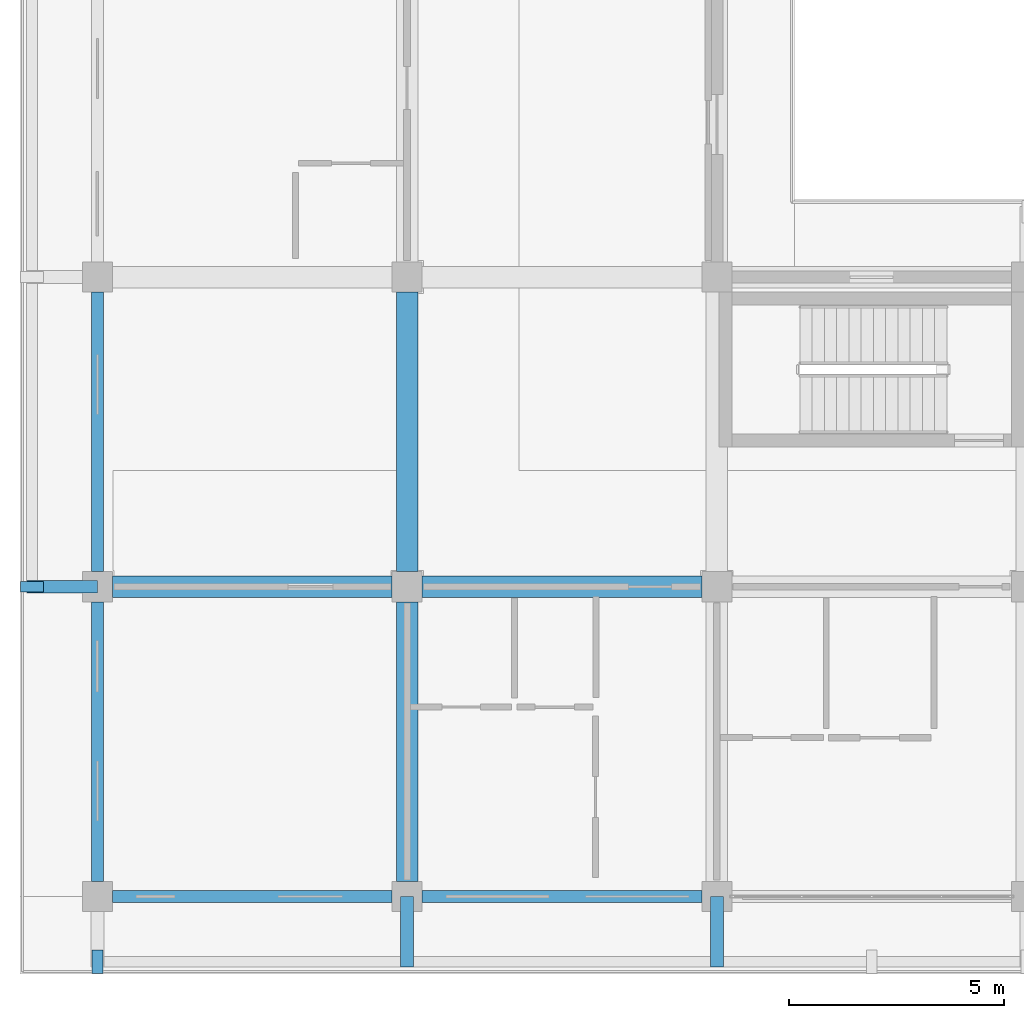
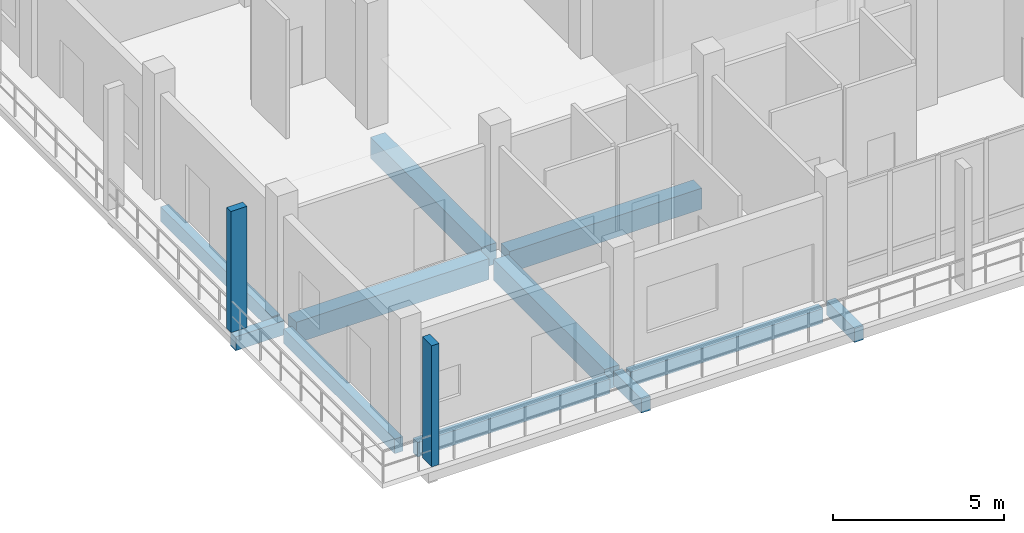
# One storey, part 14 of 110: 11 beams, 2 members.
"""IFC4 building model written with IfcOpenShell, lengths in metres."""

from ifc_helpers import new_model, si_unit, direction, frame, origin, origin_2d, place, context, subcontext, project, spatial, rectangle, extrude, material, material_profile, profile_set, type_object, element, save


model = new_model("IFC4")

# Units and contexts
model_context = context("Model", 3, precision=1e-05, world=origin(), true_north=direction((0.0, 1.0)))
body_context = subcontext(model_context, "Body", "Model", "MODEL_VIEW")
ifc_project = project(units=[si_unit("LENGTHUNIT", "METRE"), si_unit("AREAUNIT", "SQUARE_METRE"), si_unit("VOLUMEUNIT", "CUBIC_METRE"), si_unit("PLANEANGLEUNIT", "RADIAN"), si_unit("MASSUNIT", "GRAM", prefix="KILO")], contexts=[model_context])

# Site, building, storey
site_placement = place(None, origin())
site = spatial("IfcSite", under=ifc_project, at=site_placement, CompositionType="ELEMENT")
building_placement = place(site_placement, origin())
building = spatial("IfcBuilding", under=site, at=building_placement, Name="Suanplinth Sawtooth Commons", CompositionType="ELEMENT")
storey_placement = place(building_placement, frame((0.0, 0.0, 4.5)))
storey = spatial("IfcBuildingStorey", under=building, at=storey_placement, Name="L01", CompositionType="ELEMENT", Elevation=4.5)

# Beams
ifc_material_1 = material(Name="Concrete C40/50", Category="concrete")
ifc_material_profile_1 = material_profile(ifc_material_1, rectangle(XDim=0.5, YDim=0.75, at=origin_2d()), Name="RC-GDR 500x750")
ifc_profile_set_1 = profile_set([ifc_material_profile_1], Name="Concrete C40/50")
beam_type_1 = type_object("IfcBeamType", Name="B-03", PredefinedType="USERDEFINED", material=ifc_profile_set_1)
for number, where, z_axis, x_axis, name in (
    (1, (0.35009765625, 7.199951171875, -0.675048828125), (1.0, 0.0, 0.0), (0.0, 1.0, 0.0), "BMX-L01-D-0-1"),
    (2, (7.550048828125, 7.199951171875, -0.675048828125), (1.0, 0.0, 0.0), (0.0, 1.0, 0.0), "BMX-L01-D-1-1"),
    (3, (7.199951171875, 0.35009765625, -0.675048828125), (0.0, 1.0, 0.0), (-1.0, 0.0, 0.0), "BMY-L01-D-1-0"),
    (4, (7.199951171875, 7.550048828125, -0.675048828125), (0.0, 1.0, 0.0), (-1.0, 0.0, 0.0), "BMY-L01-D-1-1"),
):
    element("IfcBeam", number, at=place(storey_placement, frame(where, z_axis=z_axis, x_axis=x_axis)), inside=storey, type_object=beam_type_1, Name=name, ObjectType="GIRDER", PredefinedType="USERDEFINED", context=body_context, shape_type="SweptSolid", body=[
        extrude(rectangle(XDim=0.5, YDim=0.75, at=origin_2d()), origin(), (0.0, 0.0, 1.0), 6.5),
    ])
ifc_material_2 = material(Name="Precast concrete C40/50", Category="concrete")
ifc_material_profile_2 = material_profile(ifc_material_2, rectangle(XDim=0.300048828125, YDim=0.5, at=origin_2d()), Name="PC-BM 300x500")
ifc_profile_set_2 = profile_set([ifc_material_profile_2], Name="Precast concrete C40/50")
beam_type_2 = type_object("IfcBeamType", Name="B-07", PredefinedType="BEAM", material=ifc_profile_set_2)
for number, where, z_axis, x_axis, name in (
    (5, (7.199951171875, 0.0, -0.429931640625), (0.0, -1.0, 0.0), (1.0, 0.0, 0.0), "Balcony Outrigger L01-D-S-1"),
    (6, (14.39990234375, 0.0, -0.429931640625), (0.0, -1.0, 0.0), (1.0, 0.0, 0.0), "Balcony Outrigger L01-D-S-2"),
    (7, (0.0, 7.199951171875, -0.429931640625), (-1.0, 0.0, 0.0), (0.0, -1.0, 0.0), "Balcony Outrigger L01-D-W-1"),
):
    element("IfcBeam", number, at=place(storey_placement, frame(where, z_axis=z_axis, x_axis=x_axis)), inside=storey, type_object=beam_type_2, Name=name, PredefinedType="BEAM", context=body_context, shape_type="SweptSolid", body=[
        extrude(rectangle(XDim=0.300048828125, YDim=0.5, at=origin_2d()), origin(), (0.0, 0.0, 1.0), 1.639892578125),
    ])
ifc_material_profile_3 = material_profile(ifc_material_2, rectangle(XDim=0.280029296875, YDim=0.52001953125, at=origin_2d()), Name="PC-SP 280x520")
ifc_profile_set_3 = profile_set([ifc_material_profile_3], Name="Precast concrete C40/50")
beam_type_3 = type_object("IfcBeamType", Name="B-08", PredefinedType="SPANDREL", material=ifc_profile_set_3)
for number, where, z_axis, x_axis, name in (
    (8, (0.35009765625, 0.0, -0.56005859375), (1.0, 0.0, 0.0), (0.0, 1.0, 0.0), "BMX-L01-D-0-0"),
    (9, (7.550048828125, 0.0, -0.56005859375), (1.0, 0.0, 0.0), (0.0, 1.0, 0.0), "BMX-L01-D-1-0"),
    (10, (0.0, 0.35009765625, -0.56005859375), (0.0, 1.0, 0.0), (-1.0, 0.0, 0.0), "BMY-L01-D-0-0"),
    (11, (0.0, 7.550048828125, -0.56005859375), (0.0, 1.0, 0.0), (-1.0, 0.0, 0.0), "BMY-L01-D-0-1"),
):
    element("IfcBeam", number, at=place(storey_placement, frame(where, z_axis=z_axis, x_axis=x_axis)), inside=storey, type_object=beam_type_3, Name=name, PredefinedType="SPANDREL", context=body_context, shape_type="SweptSolid", body=[
        extrude(rectangle(XDim=0.280029296875, YDim=0.52001953125, at=origin_2d()), origin(), (0.0, 0.0, 1.0), 6.5),
    ])

# Members
ifc_material_3 = material(Name="Pigmented precast concrete C40/50", Category="concrete")
ifc_material_profile_4 = material_profile(ifc_material_3, rectangle(XDim=0.25, YDim=0.5400390625, at=origin_2d()), Name="PC-FIN 250x540")
ifc_profile_set_4 = profile_set([ifc_material_profile_4], Name="Pigmented precast concrete C40/50")
member_type = type_object("IfcMemberType", Name="M-11", PredefinedType="USERDEFINED", material=ifc_profile_set_4)
for number, where, z_axis, x_axis, name in (
    (12, (0.0, -1.52001953125, 0.0), (0.0, 0.0, 1.0), (1.0, 0.0, 0.0), "Upright Solar Blade L01-D-S-01"),
    (13, (-1.52001953125, 7.199951171875, 0.0), (0.0, 0.0, 1.0), (0.0, 1.0, 0.0), "Upright Solar Blade L01-D-W-08"),
):
    element("IfcMember", number, at=place(storey_placement, frame(where, z_axis=z_axis, x_axis=x_axis)), inside=storey, type_object=member_type, Name=name, ObjectType="SHADING FIN", PredefinedType="USERDEFINED", context=body_context, shape_type="SweptSolid", body=[
        extrude(rectangle(XDim=0.25, YDim=0.5400390625, at=origin_2d()), origin(), (0.0, 0.0, 1.0), 4.330078125),
    ])

save(model, "model.ifc")
